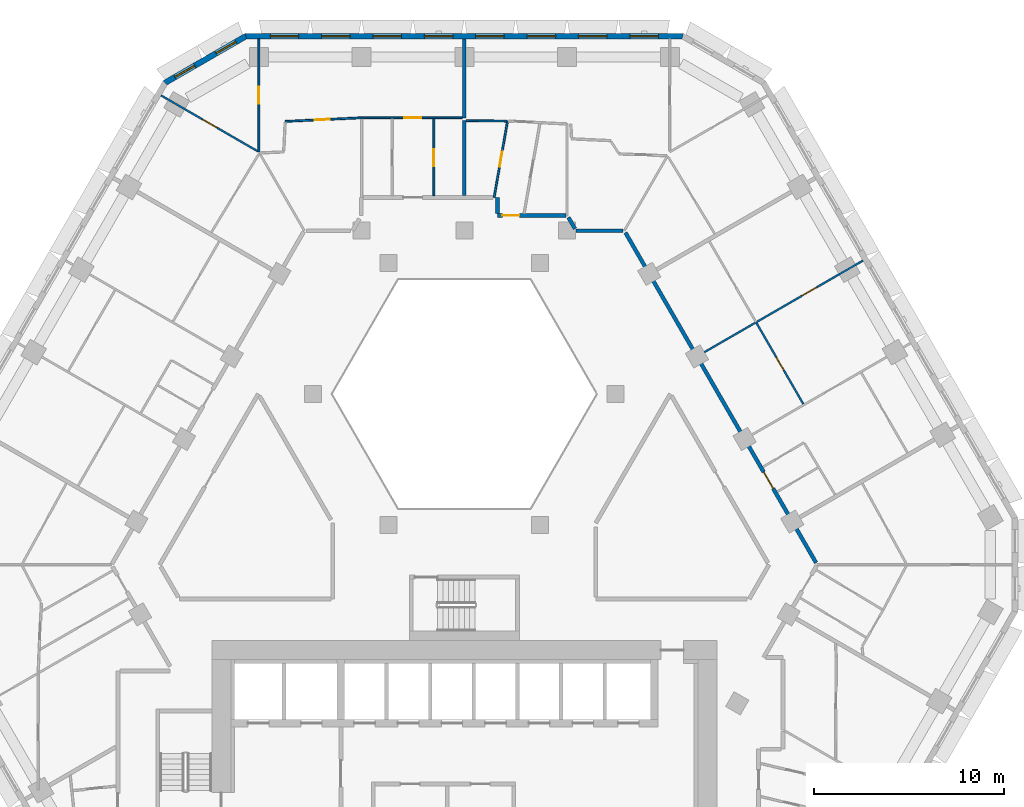
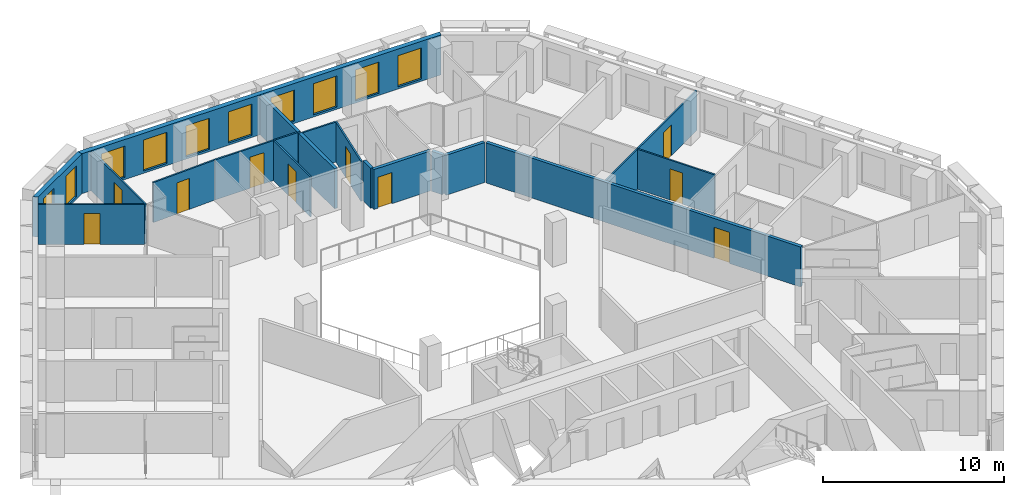
# One storey, part 9 of 18: 18 walls, 10 doors, 10 windows, 20 openings.
"""IFC4 building model written with IfcOpenShell, lengths in metres."""

from ifc_helpers import new_model, si_unit, direction, frame, frame_2d, origin, place, context, subcontext, project, spatial, polyline, rectangle, outline, extrude, material, layer, layer_set, type_object, element, fill, save


model = new_model("IFC4")

# Units and contexts
model_context = context("Model", 3, precision=1e-05, world=origin(), true_north=direction((0.0, 1.0)))
body_context = subcontext(model_context, "Body", "Model", "MODEL_VIEW")
ifc_project = project(units=[si_unit("LENGTHUNIT", "METRE"), si_unit("AREAUNIT", "SQUARE_METRE"), si_unit("VOLUMEUNIT", "CUBIC_METRE"), si_unit("PLANEANGLEUNIT", "RADIAN"), si_unit("MASSUNIT", "GRAM", prefix="KILO")], contexts=[model_context])

# Site, building, storey
site_placement = place(None, origin())
site = spatial("IfcSite", under=ifc_project, at=site_placement, CompositionType="ELEMENT")
building_placement = place(site_placement, origin())
building = spatial("IfcBuilding", under=site, at=building_placement, Name="Beryl Residences", CompositionType="ELEMENT")
storey_placement = place(building_placement, frame((0.0, 0.0, 75.0)))
storey = spatial("IfcBuildingStorey", under=building, at=storey_placement, Name="L22", CompositionType="ELEMENT", Elevation=75.0)

# Wall, openings, windows
ifc_material_1 = material(Name="Composite metal panel with mineral wool insulation")
ifc_layer_1 = layer(ifc_material_1, 0.300048828125)
ifc_layer_set_1 = layer_set([ifc_layer_1], Name="ES1 pale metal composite panel wall 300 mm")
wall_type_1 = type_object("IfcWallType", Name="ES1 pale metal composite panel wall 300 mm", PredefinedType="SOLIDWALL", material=ifc_layer_set_1)
wall_1_placement = place(storey_placement, frame((11.547119140625, 26.85009765625, 0.0), z_axis=(0.0, 0.0, 1.0), x_axis=(-1.0, 0.0, 0.0)))
wall_1 = element("IfcWall", 1, at=wall_1_placement, inside=storey, type_object=wall_type_1, Name="ES1 external wall L22 N", PredefinedType="SOLIDWALL", context=body_context, shape_type="SweptSolid", body=[
    extrude(outline(polyline([(0.0, -0.14990234375), (23.09423828125, -0.14990234375), (23.013916015625, 0.14990234375), (0.080322265625, 0.14990234375), (0.0, -0.14990234375)])), origin(), (0.0, 0.0, 1.0), 2.699951171875),
])
opening_1_placement = place(wall_1_placement, frame((1.324951171875, 0.0, 0.14990234375)))
opening_1 = element("IfcOpeningElement", 2, at=opening_1_placement, cuts=wall_1, Name="Opening W1", PredefinedType="OPENING", context=body_context, shape_type="SweptSolid", body=[
    extrude(rectangle(XDim=1.5, YDim=2.10009765625, at=frame_2d((0.75, 1.050048828125))), frame((0.0, 0.159912109375, 0.0), z_axis=(0.0, -1.0, 0.0), x_axis=(1.0, 0.0, 0.0)), (0.0, 0.0, 1.0), 0.320068359375),
])
opening_2_placement = place(wall_1_placement, frame((4.031982421875, 0.0, 0.14990234375)))
opening_2 = element("IfcOpeningElement", 3, at=opening_2_placement, cuts=wall_1, Name="Opening W1", PredefinedType="OPENING", context=body_context, shape_type="SweptSolid", body=[
    extrude(rectangle(XDim=1.5, YDim=2.10009765625, at=frame_2d((0.75, 1.050048828125))), frame((0.0, 0.159912109375, 0.0), z_axis=(0.0, -1.0, 0.0), x_axis=(1.0, 0.0, 0.0)), (0.0, 0.0, 1.0), 0.320068359375),
])
opening_3_placement = place(wall_1_placement, frame((6.738037109375, 0.0, 0.14990234375)))
opening_3 = element("IfcOpeningElement", 4, at=opening_3_placement, cuts=wall_1, Name="Opening W1", PredefinedType="OPENING", context=body_context, shape_type="SweptSolid", body=[
    extrude(rectangle(XDim=1.5, YDim=2.10009765625, at=frame_2d((0.75, 1.050048828125))), frame((0.0, 0.159912109375, 0.0), z_axis=(0.0, -1.0, 0.0), x_axis=(1.0, 0.0, 0.0)), (0.0, 0.0, 1.0), 0.320068359375),
])
opening_4_placement = place(wall_1_placement, frame((9.445068359375, 0.0, 0.14990234375)))
opening_4 = element("IfcOpeningElement", 5, at=opening_4_placement, cuts=wall_1, Name="Opening W1", PredefinedType="OPENING", context=body_context, shape_type="SweptSolid", body=[
    extrude(rectangle(XDim=1.5, YDim=2.10009765625, at=frame_2d((0.75, 1.050048828125))), frame((0.0, 0.159912109375, 0.0), z_axis=(0.0, -1.0, 0.0), x_axis=(1.0, 0.0, 0.0)), (0.0, 0.0, 1.0), 0.320068359375),
])
opening_5_placement = place(wall_1_placement, frame((12.15087890625, 0.0, 0.14990234375)))
opening_5 = element("IfcOpeningElement", 6, at=opening_5_placement, cuts=wall_1, Name="Opening W1", PredefinedType="OPENING", context=body_context, shape_type="SweptSolid", body=[
    extrude(rectangle(XDim=1.5, YDim=2.10009765625, at=frame_2d((0.75, 1.050048828125))), frame((0.0, 0.159912109375, 0.0), z_axis=(0.0, -1.0, 0.0), x_axis=(1.0, 0.0, 0.0)), (0.0, 0.0, 1.0), 0.320068359375),
])
opening_6_placement = place(wall_1_placement, frame((14.85791015625, 0.0, 0.14990234375)))
opening_6 = element("IfcOpeningElement", 7, at=opening_6_placement, cuts=wall_1, Name="Opening W1", PredefinedType="OPENING", context=body_context, shape_type="SweptSolid", body=[
    extrude(rectangle(XDim=1.5, YDim=2.10009765625, at=frame_2d((0.75, 1.050048828125))), frame((0.0, 0.159912109375, 0.0), z_axis=(0.0, -1.0, 0.0), x_axis=(1.0, 0.0, 0.0)), (0.0, 0.0, 1.0), 0.320068359375),
])
opening_7_placement = place(wall_1_placement, frame((17.56396484375, 0.0, 0.14990234375)))
opening_7 = element("IfcOpeningElement", 8, at=opening_7_placement, cuts=wall_1, Name="Opening W1", PredefinedType="OPENING", context=body_context, shape_type="SweptSolid", body=[
    extrude(rectangle(XDim=1.5, YDim=2.10009765625, at=frame_2d((0.75, 1.050048828125))), frame((0.0, 0.159912109375, 0.0), z_axis=(0.0, -1.0, 0.0), x_axis=(1.0, 0.0, 0.0)), (0.0, 0.0, 1.0), 0.320068359375),
])
opening_8_placement = place(wall_1_placement, frame((20.27099609375, 0.0, 0.14990234375)))
opening_8 = element("IfcOpeningElement", 9, at=opening_8_placement, cuts=wall_1, Name="Opening W1", PredefinedType="OPENING", context=body_context, shape_type="SweptSolid", body=[
    extrude(rectangle(XDim=1.5, YDim=2.10009765625, at=frame_2d((0.75, 1.050048828125))), frame((0.0, 0.159912109375, 0.0), z_axis=(0.0, -1.0, 0.0), x_axis=(1.0, 0.0, 0.0)), (0.0, 0.0, 1.0), 0.320068359375),
])
ifc_material_2 = material(Name="Aluminium and clear glass", Category="aluminium")
window_type_1 = type_object("IfcWindowType", Name="W1 cell window 1500 x 2100 mm", PartitioningType="SINGLE_PANEL", PredefinedType="WINDOW", material=ifc_material_2)
window_1_placement = place(opening_1_placement, origin())
window_1 = element("IfcWindow", 10, at=window_1_placement, inside=storey, type_object=window_type_1, Name="W1 window L22 N 1", OverallHeight=2.10009765625, OverallWidth=1.5, PartitioningType="SINGLE_PANEL", PredefinedType="WINDOW", context=body_context, shape_type="SweptSolid", body=[
    extrude(rectangle(XDim=1.5, YDim=2.10009765625, at=frame_2d((0.75, 1.050048828125))), frame((0.0, 0.030029296875, 0.0), z_axis=(0.0, -1.0, 0.0), x_axis=(1.0, 0.0, 0.0)), (0.0, 0.0, 1.0), 0.06005859375),
])
fill(opening_1, window_1)
window_2_placement = place(opening_2_placement, origin())
window_2 = element("IfcWindow", 11, at=window_2_placement, inside=storey, type_object=window_type_1, Name="W1 window L22 N 2", OverallHeight=2.10009765625, OverallWidth=1.5, PartitioningType="SINGLE_PANEL", PredefinedType="WINDOW", context=body_context, shape_type="SweptSolid", body=[
    extrude(rectangle(XDim=1.5, YDim=2.10009765625, at=frame_2d((0.75, 1.050048828125))), frame((0.0, 0.030029296875, 0.0), z_axis=(0.0, -1.0, 0.0), x_axis=(1.0, 0.0, 0.0)), (0.0, 0.0, 1.0), 0.06005859375),
])
fill(opening_2, window_2)
window_3_placement = place(opening_3_placement, origin())
window_3 = element("IfcWindow", 12, at=window_3_placement, inside=storey, type_object=window_type_1, Name="W1 window L22 N 3", OverallHeight=2.10009765625, OverallWidth=1.5, PartitioningType="SINGLE_PANEL", PredefinedType="WINDOW", context=body_context, shape_type="SweptSolid", body=[
    extrude(rectangle(XDim=1.5, YDim=2.10009765625, at=frame_2d((0.75, 1.050048828125))), frame((0.0, 0.030029296875, 0.0), z_axis=(0.0, -1.0, 0.0), x_axis=(1.0, 0.0, 0.0)), (0.0, 0.0, 1.0), 0.06005859375),
])
fill(opening_3, window_3)
window_4_placement = place(opening_4_placement, origin())
window_4 = element("IfcWindow", 13, at=window_4_placement, inside=storey, type_object=window_type_1, Name="W1 window L22 N 4", OverallHeight=2.10009765625, OverallWidth=1.5, PartitioningType="SINGLE_PANEL", PredefinedType="WINDOW", context=body_context, shape_type="SweptSolid", body=[
    extrude(rectangle(XDim=1.5, YDim=2.10009765625, at=frame_2d((0.75, 1.050048828125))), frame((0.0, 0.030029296875, 0.0), z_axis=(0.0, -1.0, 0.0), x_axis=(1.0, 0.0, 0.0)), (0.0, 0.0, 1.0), 0.06005859375),
])
fill(opening_4, window_4)
window_5_placement = place(opening_5_placement, origin())
window_5 = element("IfcWindow", 14, at=window_5_placement, inside=storey, type_object=window_type_1, Name="W1 window L22 N 5", OverallHeight=2.10009765625, OverallWidth=1.5, PartitioningType="SINGLE_PANEL", PredefinedType="WINDOW", context=body_context, shape_type="SweptSolid", body=[
    extrude(rectangle(XDim=1.5, YDim=2.10009765625, at=frame_2d((0.75, 1.050048828125))), frame((0.0, 0.030029296875, 0.0), z_axis=(0.0, -1.0, 0.0), x_axis=(1.0, 0.0, 0.0)), (0.0, 0.0, 1.0), 0.06005859375),
])
fill(opening_5, window_5)
window_6_placement = place(opening_6_placement, origin())
window_6 = element("IfcWindow", 15, at=window_6_placement, inside=storey, type_object=window_type_1, Name="W1 window L22 N 6", OverallHeight=2.10009765625, OverallWidth=1.5, PartitioningType="SINGLE_PANEL", PredefinedType="WINDOW", context=body_context, shape_type="SweptSolid", body=[
    extrude(rectangle(XDim=1.5, YDim=2.10009765625, at=frame_2d((0.75, 1.050048828125))), frame((0.0, 0.030029296875, 0.0), z_axis=(0.0, -1.0, 0.0), x_axis=(1.0, 0.0, 0.0)), (0.0, 0.0, 1.0), 0.06005859375),
])
fill(opening_6, window_6)
window_7_placement = place(opening_7_placement, origin())
window_7 = element("IfcWindow", 16, at=window_7_placement, inside=storey, type_object=window_type_1, Name="W1 window L22 N 7", OverallHeight=2.10009765625, OverallWidth=1.5, PartitioningType="SINGLE_PANEL", PredefinedType="WINDOW", context=body_context, shape_type="SweptSolid", body=[
    extrude(rectangle(XDim=1.5, YDim=2.10009765625, at=frame_2d((0.75, 1.050048828125))), frame((0.0, 0.030029296875, 0.0), z_axis=(0.0, -1.0, 0.0), x_axis=(1.0, 0.0, 0.0)), (0.0, 0.0, 1.0), 0.06005859375),
])
fill(opening_7, window_7)
window_8_placement = place(opening_8_placement, origin())
window_8 = element("IfcWindow", 17, at=window_8_placement, inside=storey, type_object=window_type_1, Name="W1 window L22 N 8", OverallHeight=2.10009765625, OverallWidth=1.5, PartitioningType="SINGLE_PANEL", PredefinedType="WINDOW", context=body_context, shape_type="SweptSolid", body=[
    extrude(rectangle(XDim=1.5, YDim=2.10009765625, at=frame_2d((0.75, 1.050048828125))), frame((0.0, 0.030029296875, 0.0), z_axis=(0.0, -1.0, 0.0), x_axis=(1.0, 0.0, 0.0)), (0.0, 0.0, 1.0), 0.06005859375),
])
fill(opening_8, window_8)

wall_2_placement = place(storey_placement, frame((-11.471923828125, 26.8701171875, 0.0), z_axis=(0.0, 0.0, 1.0), x_axis=(-0.866022959057, -0.500004234368, 0.0)))
wall_2 = element("IfcWall", 18, at=wall_2_placement, inside=storey, type_object=wall_type_1, Name="ES1 external wall L22 N-NW", PredefinedType="SOLIDWALL", context=body_context, shape_type="SweptSolid", body=[
    extrude(outline(polyline([(0.0, -0.14990234375), (5.0, -0.14990234375), (4.919677734375, 0.14990234375), (0.080322265625, 0.14990234375), (0.0, -0.14990234375)])), origin(), (0.0, 0.0, 1.0), 2.699951171875),
])
opening_9_placement = place(wall_2_placement, frame((0.64990234375, 0.0, 0.14990234375)))
opening_9 = element("IfcOpeningElement", 19, at=opening_9_placement, cuts=wall_2, Name="Opening W2", PredefinedType="OPENING", context=body_context, shape_type="SweptSolid", body=[
    extrude(rectangle(XDim=1.199951171875, YDim=2.10009765625, at=frame_2d((0.60009765625, 1.050048828125))), frame((0.0, 0.159912109375, 0.0), z_axis=(0.0, -1.0, 0.0), x_axis=(1.0, 0.0, 0.0)), (0.0, 0.0, 1.0), 0.320068359375),
])
opening_10_placement = place(wall_2_placement, frame((3.14892578125, 0.0, 0.14990234375)))
opening_10 = element("IfcOpeningElement", 20, at=opening_10_placement, cuts=wall_2, Name="Opening W2", PredefinedType="OPENING", context=body_context, shape_type="SweptSolid", body=[
    extrude(rectangle(XDim=1.199951171875, YDim=2.10009765625, at=frame_2d((0.60009765625, 1.050048828125))), frame((0.0, 0.159912109375, 0.0), z_axis=(0.0, -1.0, 0.0), x_axis=(1.0, 0.0, 0.0)), (0.0, 0.0, 1.0), 0.320068359375),
])
ifc_material_3 = material(Name="Aluminium and clear glass", Category="aluminium")
window_type_2 = type_object("IfcWindowType", Name="W2 chamfer window 1200 x 2100 mm", PartitioningType="SINGLE_PANEL", PredefinedType="WINDOW", material=ifc_material_3)
window_9_placement = place(opening_9_placement, origin())
window_9 = element("IfcWindow", 21, at=window_9_placement, inside=storey, type_object=window_type_2, Name="W2 window L22 N-NW 1", OverallHeight=2.10009765625, OverallWidth=1.199951171875, PartitioningType="SINGLE_PANEL", PredefinedType="WINDOW", context=body_context, shape_type="SweptSolid", body=[
    extrude(rectangle(XDim=1.199951171875, YDim=2.10009765625, at=frame_2d((0.60009765625, 1.050048828125))), frame((0.0, 0.030029296875, 0.0), z_axis=(0.0, -1.0, 0.0), x_axis=(1.0, 0.0, 0.0)), (0.0, 0.0, 1.0), 0.06005859375),
])
fill(opening_9, window_9)
window_10_placement = place(opening_10_placement, origin())
window_10 = element("IfcWindow", 22, at=window_10_placement, inside=storey, type_object=window_type_2, Name="W2 window L22 N-NW 2", OverallHeight=2.10009765625, OverallWidth=1.199951171875, PartitioningType="SINGLE_PANEL", PredefinedType="WINDOW", context=body_context, shape_type="SweptSolid", body=[
    extrude(rectangle(XDim=1.199951171875, YDim=2.10009765625, at=frame_2d((0.60009765625, 1.050048828125))), frame((0.0, 0.030029296875, 0.0), z_axis=(0.0, -1.0, 0.0), x_axis=(1.0, 0.0, 0.0)), (0.0, 0.0, 1.0), 0.06005859375),
])
fill(opening_10, window_10)

# Wall
ifc_material_4 = material(Name="Gypsum board partition on steel studs", Category="steel")
ifc_layer_2 = layer(ifc_material_4, 0.10009765625)
ifc_layer_set_2 = layer_set([ifc_layer_2], Name="PT1 partition 100 mm gypsum board on steel studs")
wall_type_2 = type_object("IfcWallType", Name="PT1 partition 100 mm gypsum board on steel studs", PredefinedType="PARTITIONING", material=ifc_layer_set_2)
wall_3_placement = place(storey_placement, frame((0.09912109375, 22.39599609375, 0.0), z_axis=(0.0, 0.0, 1.0), x_axis=(0.999952228611, -0.009774481889, 0.0)))
element("IfcWall", 23, at=wall_3_placement, inside=storey, type_object=wall_type_2, Name="Wall PT1 L22 001", PredefinedType="PARTITIONING", context=body_context, shape_type="SweptSolid", body=[
    extrude(rectangle(XDim=2.14794921875, YDim=0.10009765625, at=frame_2d((1.073974609375, 0.0))), origin(), (0.0, 0.0, 1.0), 2.699951171875),
])

# Wall, opening, door
wall_4_placement = place(storey_placement, frame((-15.97705078125, 23.72509765625, 0.0), z_axis=(0.0, 0.0, 1.0), x_axis=(0.866028213039, -0.499995134196, 0.0)))
wall_4 = element("IfcWall", 24, at=wall_4_placement, inside=storey, type_object=wall_type_2, Name="Wall PT1 L22 028", PredefinedType="PARTITIONING", context=body_context, shape_type="SweptSolid", body=[
    extrude(rectangle(XDim=5.89013671875, YDim=0.10009765625, at=frame_2d((2.945068359375, 0.0))), origin(), (0.0, 0.0, 1.0), 2.699951171875),
])
opening_11_placement = place(wall_4_placement, frame((2.52392578125, 0.0, 0.0)))
opening_11 = element("IfcOpeningElement", 25, at=opening_11_placement, cuts=wall_4, Name="Opening D0607", PredefinedType="OPENING", context=body_context, shape_type="SweptSolid", body=[
    extrude(rectangle(XDim=0.89990234375, YDim=2.10009765625, at=frame_2d((0.449951171875, 1.050048828125))), frame((0.0, 0.06005859375, 0.0), z_axis=(0.0, -1.0, 0.0), x_axis=(1.0, 0.0, 0.0)), (0.0, 0.0, 1.0), 0.1201171875),
])
ifc_material_5 = material(Name="Timber door leaf", Category="wood")
door_type_1 = type_object("IfcDoorType", Name="D2 room door 900 x 2100 mm", OperationType="SINGLE_SWING_LEFT", PredefinedType="DOOR", material=ifc_material_5)
door_1_placement = place(opening_11_placement, origin())
door_1 = element("IfcDoor", 26, at=door_1_placement, inside=storey, type_object=door_type_1, Name="Door D0607 L22 001", OperationType="SINGLE_SWING_LEFT", OverallHeight=2.10009765625, OverallWidth=0.89990234375, PredefinedType="DOOR", context=body_context, shape_type="SweptSolid", body=[
    extrude(rectangle(XDim=0.89990234375, YDim=2.10009765625, at=frame_2d((0.449951171875, 1.050048828125))), frame((0.0, 0.02490234375, 0.0), z_axis=(0.0, -1.0, 0.0), x_axis=(1.0, 0.0, 0.0)), (0.0, 0.0, 1.0), 0.050048828125),
])
fill(opening_11, door_1)

wall_5_placement = place(storey_placement, frame((-5.384033203125, 22.550048828125, 0.0), z_axis=(0.0, 0.0, 1.0), x_axis=(1.0, 0.0, 0.0)))
wall_5 = element("IfcWall", 27, at=wall_5_placement, inside=storey, type_object=wall_type_2, Name="Wall PT1 L22 036", PredefinedType="PARTITIONING", context=body_context, shape_type="SweptSolid", body=[
    extrude(rectangle(XDim=5.282958984375, YDim=0.10009765625, at=frame_2d((2.6416015625, 0.0))), origin(), (0.0, 0.0, 1.0), 2.699951171875),
])
opening_12_placement = place(wall_5_placement, frame((2.22607421875, 0.0, 0.0)))
opening_12 = element("IfcOpeningElement", 28, at=opening_12_placement, cuts=wall_5, Name="Opening D0604", PredefinedType="OPENING", context=body_context, shape_type="SweptSolid", body=[
    extrude(rectangle(XDim=0.89990234375, YDim=2.10009765625, at=frame_2d((0.449951171875, 1.050048828125))), frame((0.0, 0.06005859375, 0.0), z_axis=(0.0, -1.0, 0.0), x_axis=(1.0, 0.0, 0.0)), (0.0, 0.0, 1.0), 0.1201171875),
])
door_2_placement = place(opening_12_placement, origin())
door_2 = element("IfcDoor", 29, at=door_2_placement, inside=storey, type_object=door_type_1, Name="Door D0604 L22 001", OperationType="SINGLE_SWING_RIGHT", OverallHeight=2.10009765625, OverallWidth=0.89990234375, PredefinedType="DOOR", context=body_context, shape_type="SweptSolid", body=[
    extrude(rectangle(XDim=0.89990234375, YDim=2.10009765625, at=frame_2d((0.449951171875, 1.050048828125))), frame((0.0, 0.02490234375, 0.0), z_axis=(0.0, -1.0, 0.0), x_axis=(1.0, 0.0, 0.0)), (0.0, 0.0, 1.0), 0.050048828125),
])
fill(opening_12, door_2)

wall_6_placement = place(storey_placement, frame((1.571044921875, 18.35009765625, 0.0), z_axis=(0.0, 0.0, 1.0), x_axis=(0.172742546726, 0.984967010895, 0.0)))
wall_6 = element("IfcWall", 30, at=wall_6_placement, inside=storey, type_object=wall_type_2, Name="Wall PT1 L22 050", PredefinedType="PARTITIONING", context=body_context, shape_type="SweptSolid", body=[
    extrude(rectangle(XDim=4.08740234375, YDim=0.10009765625, at=frame_2d((2.043701171875, 0.0))), origin(), (0.0, 0.0, 1.0), 2.699951171875),
])
opening_13_placement = place(wall_6_placement, frame((1.64404296875, 0.0, 0.0)))
opening_13 = element("IfcOpeningElement", 31, at=opening_13_placement, cuts=wall_6, Name="Opening D0660", PredefinedType="OPENING", context=body_context, shape_type="SweptSolid", body=[
    extrude(rectangle(XDim=0.800048828125, YDim=2.10009765625, at=frame_2d((0.39990234375, 1.050048828125))), frame((0.0, 0.06005859375, 0.0), z_axis=(0.0, -1.0, 0.0), x_axis=(1.0, 0.0, 0.0)), (0.0, 0.0, 1.0), 0.1201171875),
])
ifc_material_6 = material(Name="Timber door leaf", Category="wood")
door_type_2 = type_object("IfcDoorType", Name="D3 bathroom door 800 x 2100 mm", OperationType="SINGLE_SWING_LEFT", PredefinedType="DOOR", material=ifc_material_6)
door_3_placement = place(opening_13_placement, origin())
door_3 = element("IfcDoor", 32, at=door_3_placement, inside=storey, type_object=door_type_2, Name="Door D0660 L22 001", OperationType="SINGLE_SWING_RIGHT", OverallHeight=2.10009765625, OverallWidth=0.800048828125, PredefinedType="DOOR", context=body_context, shape_type="SweptSolid", body=[
    extrude(rectangle(XDim=0.800048828125, YDim=2.10009765625, at=frame_2d((0.39990234375, 1.050048828125))), frame((0.0, 0.02490234375, 0.0), z_axis=(0.0, -1.0, 0.0), x_axis=(1.0, 0.0, 0.0)), (0.0, 0.0, 1.0), 0.050048828125),
])
fill(opening_13, door_3)

wall_7_placement = place(storey_placement, frame((-10.826904296875, 20.7529296875, 0.0), z_axis=(0.0, 0.0, 1.0), x_axis=(0.0, 1.0, 0.0)))
wall_7 = element("IfcWall", 33, at=wall_7_placement, inside=storey, type_object=wall_type_2, Name="Wall PT1 L22 064", PredefinedType="PARTITIONING", context=body_context, shape_type="SweptSolid", body=[
    extrude(rectangle(XDim=5.947021484375, YDim=0.10009765625, at=frame_2d((2.9736328125, 0.0))), origin(), (0.0, 0.0, 1.0), 2.699951171875),
])
opening_14_placement = place(wall_7_placement, frame((2.52294921875, 0.0, 0.0)))
opening_14 = element("IfcOpeningElement", 34, at=opening_14_placement, cuts=wall_7, Name="Opening D0605", PredefinedType="OPENING", context=body_context, shape_type="SweptSolid", body=[
    extrude(rectangle(XDim=0.89990234375, YDim=2.10009765625, at=frame_2d((0.449951171875, 1.050048828125))), frame((0.0, 0.06005859375, 0.0), z_axis=(0.0, -1.0, 0.0), x_axis=(1.0, 0.0, 0.0)), (0.0, 0.0, 1.0), 0.1201171875),
])
door_4_placement = place(opening_14_placement, origin())
door_4 = element("IfcDoor", 35, at=door_4_placement, inside=storey, type_object=door_type_1, Name="Door D0605 L22 001", OperationType="SINGLE_SWING_LEFT", OverallHeight=2.10009765625, OverallWidth=0.89990234375, PredefinedType="DOOR", context=body_context, shape_type="SweptSolid", body=[
    extrude(rectangle(XDim=0.89990234375, YDim=2.10009765625, at=frame_2d((0.449951171875, 1.050048828125))), frame((0.0, 0.02490234375, 0.0), z_axis=(0.0, -1.0, 0.0), x_axis=(1.0, 0.0, 0.0)), (0.0, 0.0, 1.0), 0.050048828125),
])
fill(opening_14, door_4)

wall_8_placement = place(storey_placement, frame((-1.60693359375, 18.449951171875, 0.0), z_axis=(0.0, 0.0, 1.0), x_axis=(0.0, 1.0, 0.0)))
wall_8 = element("IfcWall", 36, at=wall_8_placement, inside=storey, type_object=wall_type_2, Name="Wall PT1 L22 065", PredefinedType="PARTITIONING", context=body_context, shape_type="SweptSolid", body=[
    extrude(rectangle(XDim=4.050048828125, YDim=0.10009765625, at=frame_2d((2.02490234375, 0.0))), origin(), (0.0, 0.0, 1.0), 2.699951171875),
])
opening_15_placement = place(wall_8_placement, frame((1.550048828125, 0.0, 0.0)))
opening_15 = element("IfcOpeningElement", 37, at=opening_15_placement, cuts=wall_8, Name="Opening D0603", PredefinedType="OPENING", context=body_context, shape_type="SweptSolid", body=[
    extrude(rectangle(XDim=0.89990234375, YDim=2.10009765625, at=frame_2d((0.449951171875, 1.050048828125))), frame((0.0, 0.06005859375, 0.0), z_axis=(0.0, -1.0, 0.0), x_axis=(1.0, 0.0, 0.0)), (0.0, 0.0, 1.0), 0.1201171875),
])
door_5_placement = place(opening_15_placement, origin())
door_5 = element("IfcDoor", 38, at=door_5_placement, inside=storey, type_object=door_type_1, Name="Door D0603 L22 001", OperationType="SINGLE_SWING_LEFT", OverallHeight=2.10009765625, OverallWidth=0.89990234375, PredefinedType="DOOR", context=body_context, shape_type="SweptSolid", body=[
    extrude(rectangle(XDim=0.89990234375, YDim=2.10009765625, at=frame_2d((0.449951171875, 1.050048828125))), frame((0.0, 0.02490234375, 0.0), z_axis=(0.0, -1.0, 0.0), x_axis=(1.0, 0.0, 0.0)), (0.0, 0.0, 1.0), 0.050048828125),
])
fill(opening_15, door_5)

wall_9_placement = place(storey_placement, frame((-9.43505859375, 22.35791015625, 0.0), z_axis=(0.0, 0.0, 1.0), x_axis=(0.998871548472, 0.04749346959, 0.0)))
wall_9 = element("IfcWall", 39, at=wall_9_placement, inside=storey, type_object=wall_type_2, Name="Wall PT1 L22 068", PredefinedType="PARTITIONING", context=body_context, shape_type="SweptSolid", body=[
    extrude(rectangle(XDim=4.045654296875, YDim=0.10009765625, at=frame_2d((2.02294921875, 0.0))), origin(), (0.0, 0.0, 1.0), 2.699951171875),
])
opening_16_placement = place(wall_9_placement, frame((1.554931640625, 0.0, 0.0)))
opening_16 = element("IfcOpeningElement", 40, at=opening_16_placement, cuts=wall_9, Name="Opening D0606", PredefinedType="OPENING", context=body_context, shape_type="SweptSolid", body=[
    extrude(rectangle(XDim=0.800048828125, YDim=2.10009765625, at=frame_2d((0.39990234375, 1.050048828125))), frame((0.0, 0.06005859375, 0.0), z_axis=(0.0, -1.0, 0.0), x_axis=(1.0, 0.0, 0.0)), (0.0, 0.0, 1.0), 0.1201171875),
])
door_6_placement = place(opening_16_placement, origin())
door_6 = element("IfcDoor", 41, at=door_6_placement, inside=storey, type_object=door_type_2, Name="Door D0606 L22 001", OperationType="SINGLE_SWING_RIGHT", OverallHeight=2.10009765625, OverallWidth=0.800048828125, PredefinedType="DOOR", context=body_context, shape_type="SweptSolid", body=[
    extrude(rectangle(XDim=0.800048828125, YDim=2.10009765625, at=frame_2d((0.39990234375, 1.050048828125))), frame((0.0, 0.02490234375, 0.0), z_axis=(0.0, -1.0, 0.0), x_axis=(1.0, 0.0, 0.0)), (0.0, 0.0, 1.0), 0.050048828125),
])
fill(opening_16, door_6)

wall_10_placement = place(storey_placement, frame((12.342041015625, 10.02490234375, 0.0), z_axis=(0.0, 0.0, 1.0), x_axis=(0.865992435864, 0.500057097767, 0.0)))
wall_10 = element("IfcWall", 42, at=wall_10_placement, inside=storey, type_object=wall_type_2, Name="Wall PT1 L22 075", PredefinedType="PARTITIONING", context=body_context, shape_type="SweptSolid", body=[
    extrude(rectangle(XDim=9.998779296875, YDim=0.10009765625, at=frame_2d((4.99951171875, 0.0))), origin(), (0.0, 0.0, 1.0), 2.699951171875),
])
opening_17_placement = place(wall_10_placement, frame((6.300048828125, 0.0, 0.0)))
opening_17 = element("IfcOpeningElement", 43, at=opening_17_placement, cuts=wall_10, Name="Opening D0656", PredefinedType="OPENING", context=body_context, shape_type="SweptSolid", body=[
    extrude(rectangle(XDim=0.89990234375, YDim=2.10009765625, at=frame_2d((0.449951171875, 1.050048828125))), frame((0.0, 0.06005859375, 0.0), z_axis=(0.0, -1.0, 0.0), x_axis=(1.0, 0.0, 0.0)), (0.0, 0.0, 1.0), 0.1201171875),
])
door_7_placement = place(opening_17_placement, origin())
door_7 = element("IfcDoor", 44, at=door_7_placement, inside=storey, type_object=door_type_1, Name="Door D0656 L22 001", OperationType="SINGLE_SWING_RIGHT", OverallHeight=2.10009765625, OverallWidth=0.89990234375, PredefinedType="DOOR", context=body_context, shape_type="SweptSolid", body=[
    extrude(rectangle(XDim=0.89990234375, YDim=2.10009765625, at=frame_2d((0.449951171875, 1.050048828125))), frame((0.0, 0.02490234375, 0.0), z_axis=(0.0, -1.0, 0.0), x_axis=(1.0, 0.0, 0.0)), (0.0, 0.0, 1.0), 0.050048828125),
])
fill(opening_17, door_7)

wall_11_placement = place(storey_placement, frame((15.3720703125, 11.77490234375, 0.0), z_axis=(0.0, 0.0, 1.0), x_axis=(0.500035488351, -0.866004913606, 0.0)))
wall_11 = element("IfcWall", 45, at=wall_11_placement, inside=storey, type_object=wall_type_2, Name="Wall PT1 L22 078", PredefinedType="PARTITIONING", context=body_context, shape_type="SweptSolid", body=[
    extrude(rectangle(XDim=4.973388671875, YDim=0.10009765625, at=frame_2d((2.48681640625, 0.0))), origin(), (0.0, 0.0, 1.0), 2.699951171875),
])
opening_18_placement = place(wall_11_placement, frame((2.112060546875, 0.0, 0.0)))
opening_18 = element("IfcOpeningElement", 46, at=opening_18_placement, cuts=wall_11, Name="Opening D0655", PredefinedType="OPENING", context=body_context, shape_type="SweptSolid", body=[
    extrude(rectangle(XDim=0.800048828125, YDim=2.10009765625, at=frame_2d((0.39990234375, 1.050048828125))), frame((0.0, 0.06005859375, 0.0), z_axis=(0.0, -1.0, 0.0), x_axis=(1.0, 0.0, 0.0)), (0.0, 0.0, 1.0), 0.1201171875),
])
door_8_placement = place(opening_18_placement, origin())
door_8 = element("IfcDoor", 47, at=door_8_placement, inside=storey, type_object=door_type_2, Name="Door D0655 L22 001", OperationType="SINGLE_SWING_LEFT", OverallHeight=2.10009765625, OverallWidth=0.800048828125, PredefinedType="DOOR", context=body_context, shape_type="SweptSolid", body=[
    extrude(rectangle(XDim=0.800048828125, YDim=2.10009765625, at=frame_2d((0.39990234375, 1.050048828125))), frame((0.0, 0.02490234375, 0.0), z_axis=(0.0, -1.0, 0.0), x_axis=(1.0, 0.0, 0.0)), (0.0, 0.0, 1.0), 0.050048828125),
])
fill(opening_18, door_8)

# Walls
ifc_material_7 = material(Name="Acoustic double stud gypsum board wall")
ifc_layer_3 = layer(ifc_material_7, 0.199951171875)
ifc_layer_set_3 = layer_set([ifc_layer_3], Name="PT3 party wall 200 mm acoustic double stud")
wall_type_3 = type_object("IfcWallType", Name="PT3 party wall 200 mm acoustic double stud", PredefinedType="PARTITIONING", material=ifc_layer_set_3)
wall_12_placement = place(storey_placement, frame((-0.0009765625, 18.449951171875, 0.0), z_axis=(0.0, 0.0, 1.0), x_axis=(0.0, 1.0, 0.0)))
element("IfcWall", 48, at=wall_12_placement, inside=storey, type_object=wall_type_3, Name="Wall PT3 L22 006", PredefinedType="PARTITIONING", context=body_context, shape_type="SweptSolid", body=[
    extrude(rectangle(XDim=3.967041015625, YDim=0.199951171875, at=frame_2d((1.9833984375, 0.0))), origin(), (0.0, 0.0, 1.0), 2.699951171875),
])
wall_13_placement = place(storey_placement, frame((-0.0009765625, 22.550048828125, 0.0), z_axis=(0.0, 0.0, 1.0), x_axis=(0.0, 1.0, 0.0)))
element("IfcWall", 49, at=wall_13_placement, inside=storey, type_object=wall_type_3, Name="Wall PT3 L22 007", PredefinedType="PARTITIONING", context=body_context, shape_type="SweptSolid", body=[
    extrude(rectangle(XDim=4.14990234375, YDim=0.199951171875, at=frame_2d((2.074951171875, 0.0))), origin(), (0.0, 0.0, 1.0), 2.699951171875),
])
ifc_material_8 = material(Name="Double stud gypsum board wall")
ifc_layer_4 = layer(ifc_material_8, 0.199951171875)
ifc_layer_set_4 = layer_set([ifc_layer_4], Name="PT4 corridor wall 200 mm double stud")
wall_type_4 = type_object("IfcWallType", Name="PT4 corridor wall 200 mm double stud", PredefinedType="PARTITIONING", material=ifc_layer_set_4)
wall_14_placement = place(storey_placement, frame((5.485107421875, 17.300048828125, 0.0), z_axis=(0.0, 0.0, 1.0), x_axis=(0.499437640892, -0.866349838611, 0.0)))
element("IfcWall", 50, at=wall_14_placement, inside=storey, type_object=wall_type_4, Name="Wall PT4 L22 004", PredefinedType="PARTITIONING", context=body_context, shape_type="SweptSolid", body=[
    extrude(rectangle(XDim=0.692626953125, YDim=0.199951171875, at=frame_2d((0.34619140625, 0.0))), origin(), (0.0, 0.0, 1.0), 2.699951171875),
])

# Wall, opening, door
wall_15_placement = place(storey_placement, frame((8.488037109375, 16.5, 0.0), z_axis=(0.0, 0.0, 1.0), x_axis=(0.499986836607, -0.86603300354, 0.0)))
wall_15 = element("IfcWall", 51, at=wall_15_placement, inside=storey, type_object=wall_type_4, Name="Wall PT4 L22 006", PredefinedType="PARTITIONING", context=body_context, shape_type="SweptSolid", body=[
    extrude(rectangle(XDim=20.09033203125, YDim=0.199951171875, at=frame_2d((10.045166015625, 0.0))), origin(), (0.0, 0.0, 1.0), 2.699951171875),
])
opening_19_placement = place(wall_15_placement, frame((14.569091796875, 0.0, 0.0)))
opening_19 = element("IfcOpeningElement", 52, at=opening_19_placement, cuts=wall_15, Name="Opening D0650", PredefinedType="OPENING", context=body_context, shape_type="SweptSolid", body=[
    extrude(rectangle(XDim=1.0, YDim=2.10009765625, at=frame_2d((0.5, 1.050048828125))), frame((0.0, 0.10986328125, 0.0), z_axis=(0.0, -1.0, 0.0), x_axis=(1.0, 0.0, 0.0)), (0.0, 0.0, 1.0), 0.219970703125),
])
ifc_material_9 = material(Name="Timber door leaf", Category="wood")
door_type_3 = type_object("IfcDoorType", Name="D1 flat entrance door 1000 x 2100 mm", OperationType="SINGLE_SWING_LEFT", PredefinedType="DOOR", material=ifc_material_9)
door_9_placement = place(opening_19_placement, origin())
door_9 = element("IfcDoor", 53, at=door_9_placement, inside=storey, type_object=door_type_3, Name="Door D0650 L22 001", OperationType="SINGLE_SWING_RIGHT", OverallHeight=2.10009765625, OverallWidth=1.0, PredefinedType="DOOR", context=body_context, shape_type="SweptSolid", body=[
    extrude(rectangle(XDim=1.0, YDim=2.10009765625, at=frame_2d((0.5, 1.050048828125))), frame((0.0, 0.02490234375, 0.0), z_axis=(0.0, -1.0, 0.0), x_axis=(1.0, 0.0, 0.0)), (0.0, 0.0, 1.0), 0.050048828125),
])
fill(opening_19, door_9)

# Walls
wall_16_placement = place(storey_placement, frame((1.7490234375, 18.35009765625, 0.0), z_axis=(0.0, 0.0, 1.0), x_axis=(0.0, -1.0, 0.0)))
element("IfcWall", 54, at=wall_16_placement, inside=storey, type_object=wall_type_4, Name="Wall PT4 L22 011", PredefinedType="PARTITIONING", context=body_context, shape_type="SweptSolid", body=[
    extrude(rectangle(XDim=0.84912109375, YDim=0.199951171875, at=frame_2d((0.424560546875, 0.0))), origin(), (0.0, 0.0, 1.0), 2.699951171875),
])
wall_17_placement = place(storey_placement, frame((5.888916015625, 16.60009765625, 0.0), z_axis=(0.0, 0.0, 1.0), x_axis=(1.0, 0.0, 0.0)))
element("IfcWall", 55, at=wall_17_placement, inside=storey, type_object=wall_type_4, Name="Wall PT4 L22 020", PredefinedType="PARTITIONING", context=body_context, shape_type="SweptSolid", body=[
    extrude(rectangle(XDim=2.483154296875, YDim=0.199951171875, at=frame_2d((1.24169921875, 0.0))), origin(), (0.0, 0.0, 1.0), 2.699951171875),
])

# Wall, opening, door
wall_18_placement = place(storey_placement, frame((1.75, 17.39990234375, 0.0), z_axis=(0.0, 0.0, 1.0), x_axis=(1.0, 0.0, 0.0)))
wall_18 = element("IfcWall", 56, at=wall_18_placement, inside=storey, type_object=wall_type_4, Name="Wall PT4 L22 021", PredefinedType="PARTITIONING", context=body_context, shape_type="SweptSolid", body=[
    extrude(rectangle(XDim=3.612060546875, YDim=0.199951171875, at=frame_2d((1.80615234375, 0.0))), origin(), (0.0, 0.0, 1.0), 2.699951171875),
])
opening_20_placement = place(wall_18_placement, frame((0.256103515625, 0.0, 0.0)))
opening_20 = element("IfcOpeningElement", 57, at=opening_20_placement, cuts=wall_18, Name="Opening D0658", PredefinedType="OPENING", context=body_context, shape_type="SweptSolid", body=[
    extrude(rectangle(XDim=0.89990234375, YDim=2.10009765625, at=frame_2d((0.449951171875, 1.050048828125))), frame((0.0, 0.10986328125, 0.0), z_axis=(0.0, -1.0, 0.0), x_axis=(1.0, 0.0, 0.0)), (0.0, 0.0, 1.0), 0.219970703125),
])
ifc_material_10 = material(Name="Timber door leaf", Category="wood")
door_type_4 = type_object("IfcDoorType", Name="D11 flat entrance door 900 x 2100 mm", OperationType="SINGLE_SWING_LEFT", PredefinedType="DOOR", material=ifc_material_10)
door_10_placement = place(opening_20_placement, origin())
door_10 = element("IfcDoor", 58, at=door_10_placement, inside=storey, type_object=door_type_4, Name="Door D0658 L22 001", OperationType="SINGLE_SWING_RIGHT", OverallHeight=2.10009765625, OverallWidth=0.89990234375, PredefinedType="DOOR", context=body_context, shape_type="SweptSolid", body=[
    extrude(rectangle(XDim=0.89990234375, YDim=2.10009765625, at=frame_2d((0.449951171875, 1.050048828125))), frame((0.0, 0.02490234375, 0.0), z_axis=(0.0, -1.0, 0.0), x_axis=(1.0, 0.0, 0.0)), (0.0, 0.0, 1.0), 0.050048828125),
])
fill(opening_20, door_10)

save(model, "model.ifc")
